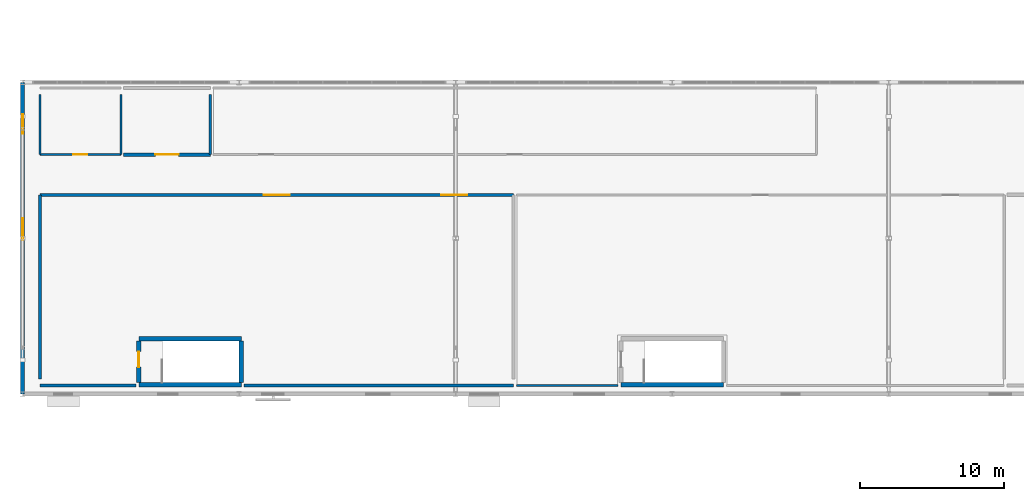
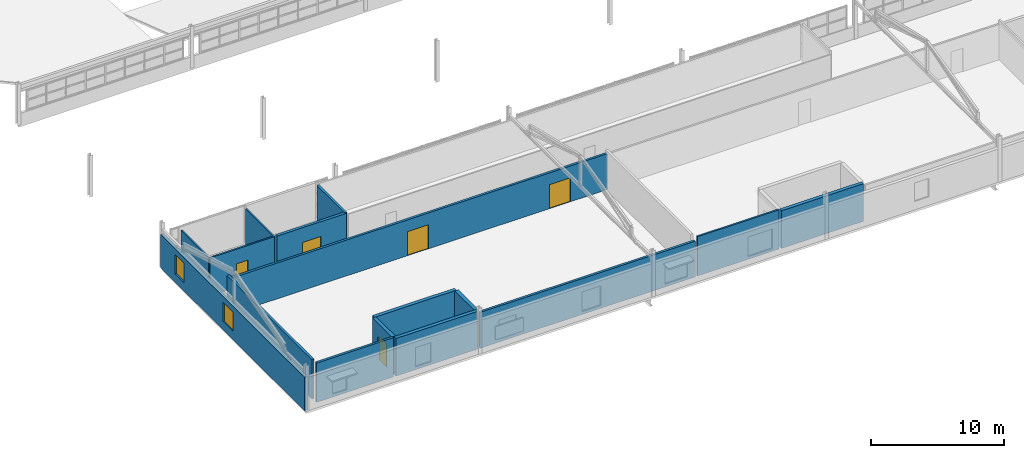
# One storey, part 68 of 90: 16 walls, 5 doors, 2 windows, 7 openings.
"""IFC4 building model written with IfcOpenShell, lengths in metres."""

from ifc_helpers import new_model, si_unit, direction, frame, frame_2d, origin, place, context, subcontext, project, spatial, rectangle, extrude, material, layer, layer_set, type_object, element, fill, save


model = new_model("IFC4")

# Units and contexts
model_context = context("Model", 3, precision=1e-05, world=origin(), true_north=direction((0.0, 1.0)))
body_context = subcontext(model_context, "Body", "Model", "MODEL_VIEW")
ifc_project = project(units=[si_unit("LENGTHUNIT", "METRE"), si_unit("AREAUNIT", "SQUARE_METRE"), si_unit("VOLUMEUNIT", "CUBIC_METRE"), si_unit("PLANEANGLEUNIT", "RADIAN"), si_unit("MASSUNIT", "GRAM", prefix="KILO")], contexts=[model_context])

# Site, building, storey
site_placement = place(None, origin())
site = spatial("IfcSite", under=ifc_project, at=site_placement, CompositionType="ELEMENT")
building_placement = place(site_placement, origin())
building = spatial("IfcBuilding", under=site, at=building_placement, Name="Solanera Park Tramway Depot", CompositionType="ELEMENT")
storey_placement = place(building_placement, frame((0.0, 0.0, 9.0)))
storey = spatial("IfcBuildingStorey", under=building, at=storey_placement, Name="L02", CompositionType="ELEMENT", Elevation=9.0)

# Walls
ifc_material_1 = material(Name="Concrete N32 (C32/40)", Category="concrete")
ifc_layer_1 = layer(ifc_material_1, 0.14990234375)
ifc_layer_set_1 = layer_set([ifc_layer_1], Name="Concrete N32 (C32/40)")
wall_type_1 = type_object("IfcWallType", Name="Acoustic Partition 150", PredefinedType="PARTITIONING", material=ifc_layer_set_1)
wall_1_placement = place(storey_placement, frame((41.25, 11.39990234375, 0.0), z_axis=(0.0, 0.0, 1.0), x_axis=(-1.0, 0.0, 0.0)))
element("IfcWall", 1, at=wall_1_placement, inside=storey, type_object=wall_type_1, Name="Overhead Catenary Rigging Training Studio Dividing Wall", PredefinedType="PARTITIONING", context=body_context, shape_type="SweptSolid", body=[
    extrude(rectangle(XDim=7.050048828125, YDim=0.14990234375, at=frame_2d((3.52490234375, 0.0))), origin(), (0.0, 0.0, 1.0), 3.60009765625),
])
ifc_material_2 = material(Name="Concrete N40 (C40/50)", Category="concrete")
ifc_layer_2 = layer(ifc_material_2, 0.300048828125)
ifc_layer_set_2 = layer_set([ifc_layer_2], Name="Concrete N40 (C40/50)")
wall_type_2 = type_object("IfcWallType", Name="Core Shear Wall 300", PredefinedType="SHEAR", material=ifc_layer_set_2)
for number, where, z_axis, x_axis, name in (
    (2, (8.050048828125, 11.449951171875, 0.0), (0.0, 0.0, 1.0), (1.0, 0.0, 0.0), "ST-08 L02 Shear Core Wall S"),
    (3, (15.14990234375, 14.64990234375, 0.0), (0.0, 0.0, 1.0), (-1.0, 0.0, 0.0), "ST-08 L02 Shear Core Wall N"),
):
    element("IfcWall", number, at=place(storey_placement, frame(where, z_axis=z_axis, x_axis=x_axis)), inside=storey, type_object=wall_type_2, Name=name, PredefinedType="SHEAR", context=body_context, shape_type="SweptSolid", body=[
        extrude(rectangle(XDim=7.099853515625, YDim=0.300048828125, at=frame_2d((3.5498046875, 0.0))), origin(), (0.0, 0.0, 1.0), 3.449951171875),
    ])
wall_2_placement = place(storey_placement, frame((15.14990234375, 11.60009765625, 0.0), z_axis=(0.0, 0.0, 1.0), x_axis=(0.0, 1.0, 0.0)))
element("IfcWall", 4, at=wall_2_placement, inside=storey, type_object=wall_type_2, Name="ST-08 L02 Shear Core Wall E", PredefinedType="SHEAR", context=body_context, shape_type="SweptSolid", body=[
    extrude(rectangle(XDim=2.89990234375, YDim=0.300048828125, at=frame_2d((1.449951171875, 0.0))), origin(), (0.0, 0.0, 1.0), 3.449951171875),
])

# Wall, opening, door
wall_3_placement = place(storey_placement, frame((8.050048828125, 14.5, 0.0), z_axis=(0.0, 0.0, 1.0), x_axis=(0.0, -1.0, 0.0)))
wall_3 = element("IfcWall", 5, at=wall_3_placement, inside=storey, type_object=wall_type_2, Name="ST-08 L02 Shear Core Wall W", PredefinedType="SHEAR", context=body_context, shape_type="SweptSolid", body=[
    extrude(rectangle(XDim=2.89990234375, YDim=0.300048828125, at=frame_2d((1.449951171875, 0.0))), origin(), (0.0, 0.0, 1.0), 3.449951171875),
])
opening_1_placement = place(wall_3_placement, frame((0.75, 0.0, 0.0)))
opening_1 = element("IfcOpeningElement", 6, at=opening_1_placement, cuts=wall_3, Name="Opening FD-S1R", PredefinedType="OPENING", context=body_context, shape_type="SweptSolid", body=[
    extrude(rectangle(XDim=1.070068359375, YDim=2.14990234375, at=frame_2d((0.53515625, 1.074951171875))), frame((0.0, 0.16015625, 0.0), z_axis=(0.0, -1.0, 0.0), x_axis=(1.0, 0.0, 0.0)), (0.0, 0.0, 1.0), 0.320068359375),
])
ifc_material_3 = material(Name="Fire-rated steel or solid-core hardwood door leaf", Category="steel")
door_type_1 = type_object("IfcDoorType", Name="Stair Fire Door R 1070x2150", OperationType="SINGLE_SWING_RIGHT", PredefinedType="DOOR", material=ifc_material_3)
door_1_placement = place(opening_1_placement, origin())
door_1 = element("IfcDoor", 7, at=door_1_placement, inside=storey, type_object=door_type_1, Name="ST-08 L02 Stair Fire Door", OperationType="SINGLE_SWING_RIGHT", OverallHeight=2.14990234375, OverallWidth=1.070068359375, PredefinedType="DOOR", context=body_context, shape_type="SweptSolid", body=[
    extrude(rectangle(XDim=1.070068359375, YDim=2.14990234375, at=frame_2d((0.53515625, 1.074951171875))), frame((0.0, 0.02490234375, 0.0), z_axis=(0.0, -1.0, 0.0), x_axis=(1.0, 0.0, 0.0)), (0.0, 0.0, 1.0), 0.050048828125),
])
fill(opening_1, door_1)

# Wall
wall_4_placement = place(storey_placement, frame((41.449951171875, 11.449951171875, 0.0), z_axis=(0.0, 0.0, 1.0), x_axis=(1.0, 0.0, 0.0)))
element("IfcWall", 8, at=wall_4_placement, inside=storey, type_object=wall_type_2, Name="ST-12 L02 Shear Core Wall S", PredefinedType="SHEAR", context=body_context, shape_type="SweptSolid", body=[
    extrude(rectangle(XDim=7.10009765625, YDim=0.300048828125, at=frame_2d((3.550048828125, 0.0))), origin(), (0.0, 0.0, 1.0), 3.449951171875),
])

# Wall, openings, windows
ifc_material_4 = material(Name="Concrete N32 (C32/40)", Category="concrete")
ifc_layer_3 = layer(ifc_material_4, 0.280029296875)
ifc_layer_set_3 = layer_set([ifc_layer_3], Name="Concrete N32 (C32/40)")
wall_type_3 = type_object("IfcWallType", Name="Ext Stucco Wall 280", PredefinedType="SOLIDWALL", material=ifc_layer_set_3)
wall_5_placement = place(storey_placement, frame((0.0, 32.39990234375, 0.0), z_axis=(0.0, 0.0, 1.0), x_axis=(0.0, -1.0, 0.0)))
wall_5 = element("IfcWall", 9, at=wall_5_placement, inside=storey, type_object=wall_type_3, Name="L02 Exterior Wall #009", PredefinedType="SOLIDWALL", context=body_context, shape_type="SweptSolid", body=[
    extrude(rectangle(XDim=21.599853515625, YDim=0.280029296875, at=frame_2d((10.7998046875, 0.0))), origin(), (0.0, 0.0, 1.0), 3.05810546875),
])
opening_2_placement = place(wall_5_placement, frame((2.199951171875, 0.0, 0.780029296875)))
opening_2 = element("IfcOpeningElement", 10, at=opening_2_placement, cuts=wall_5, Name="Opening WN-C13", PredefinedType="OPENING", context=body_context, shape_type="SweptSolid", body=[
    extrude(rectangle(XDim=1.35009765625, YDim=1.75, at=frame_2d((0.675048828125, 0.875))), frame((0.0, 0.14990234375, 0.0), z_axis=(0.0, -1.0, 0.0), x_axis=(1.0, 0.0, 0.0)), (0.0, 0.0, 1.0), 0.300048828125),
])
opening_3_placement = place(wall_5_placement, frame((9.39990234375, 0.0, 0.780029296875)))
opening_3 = element("IfcOpeningElement", 11, at=opening_3_placement, cuts=wall_5, Name="Opening WN-C15", PredefinedType="OPENING", context=body_context, shape_type="SweptSolid", body=[
    extrude(rectangle(XDim=1.5, YDim=1.75, at=frame_2d((0.75, 0.875))), frame((0.0, 0.14990234375, 0.0), z_axis=(0.0, -1.0, 0.0), x_axis=(1.0, 0.0, 0.0)), (0.0, 0.0, 1.0), 0.300048828125),
])
ifc_material_5 = material(Name="Powder-coated aluminium frame with solar-control double glazing", Category="aluminium")
window_type_1 = type_object("IfcWindowType", Name="Cloister Casement Window 1350x1750", PartitioningType="SINGLE_PANEL", PredefinedType="WINDOW", material=ifc_material_5)
window_1_placement = place(opening_2_placement, origin())
window_1 = element("IfcWindow", 12, at=window_1_placement, inside=storey, type_object=window_type_1, Name="L02 Cloister Casement Window 1350x1750 #0060", OverallHeight=1.75, OverallWidth=1.35009765625, PartitioningType="SINGLE_PANEL", PredefinedType="WINDOW", context=body_context, shape_type="SweptSolid", body=[
    extrude(rectangle(XDim=1.35009765625, YDim=1.75, at=frame_2d((0.675048828125, 0.875))), frame((0.0, 0.030029296875, 0.0), z_axis=(0.0, -1.0, 0.0), x_axis=(1.0, 0.0, 0.0)), (0.0, 0.0, 1.0), 0.06005859375),
])
fill(opening_2, window_1)
ifc_material_6 = material(Name="Powder-coated aluminium frame with solar-control double glazing", Category="aluminium")
window_type_2 = type_object("IfcWindowType", Name="Cloister Casement Window 1500x1750", PartitioningType="SINGLE_PANEL", PredefinedType="WINDOW", material=ifc_material_6)
window_2_placement = place(opening_3_placement, origin())
window_2 = element("IfcWindow", 13, at=window_2_placement, inside=storey, type_object=window_type_2, Name="L02 Cloister Casement Window 1500x1750 #0061", OverallHeight=1.75, OverallWidth=1.5, PartitioningType="SINGLE_PANEL", PredefinedType="WINDOW", context=body_context, shape_type="SweptSolid", body=[
    extrude(rectangle(XDim=1.5, YDim=1.75, at=frame_2d((0.75, 0.875))), frame((0.0, 0.030029296875, 0.0), z_axis=(0.0, -1.0, 0.0), x_axis=(1.0, 0.0, 0.0)), (0.0, 0.0, 1.0), 0.06005859375),
])
fill(opening_3, window_2)

# Walls
ifc_material_7 = material(Name="Concrete N32 (C32/40)", Category="concrete")
ifc_layer_4 = layer(ifc_material_7, 0.199951171875)
ifc_layer_set_4 = layer_set([ifc_layer_4], Name="Concrete N32 (C32/40)")
wall_type_4 = type_object("IfcWallType", Name="Fire Compartment Wall 200", PredefinedType="SOLIDWALL", material=ifc_layer_set_4)
wall_6_placement = place(storey_placement, frame((34.0, 11.39990234375, 0.0), z_axis=(0.0, 0.0, 1.0), x_axis=(-1.0, 0.0, 0.0)))
element("IfcWall", 14, at=wall_6_placement, inside=storey, type_object=wall_type_4, Name="Workshop Cyclone Fresh-Air AHU Plant 1 Dividing Wall", PredefinedType="SOLIDWALL", context=body_context, shape_type="SweptSolid", body=[
    extrude(rectangle(XDim=18.64990234375, YDim=0.199951171875, at=frame_2d((9.324951171875, 0.0))), origin(), (0.0, 0.0, 1.0), 3.287109375),
])
wall_7_placement = place(storey_placement, frame((7.85009765625, 11.39990234375, 0.0), z_axis=(0.0, 0.0, 1.0), x_axis=(-1.0, 0.0, 0.0)))
element("IfcWall", 15, at=wall_7_placement, inside=storey, type_object=wall_type_4, Name="Workshop Cyclone Fresh-Air AHU Plant 1 Dividing Wall", PredefinedType="SOLIDWALL", context=body_context, shape_type="SweptSolid", body=[
    extrude(rectangle(XDim=6.650146484375, YDim=0.199951171875, at=frame_2d((3.3251953125, 0.0))), origin(), (0.0, 0.0, 1.0), 3.60009765625),
])
wall_8_placement = place(storey_placement, frame((1.199951171875, 24.60009765625, 0.0), z_axis=(0.0, 0.0, 1.0), x_axis=(0.0, -1.0, 0.0)))
element("IfcWall", 16, at=wall_8_placement, inside=storey, type_object=wall_type_4, Name="Workshop Cyclone Fresh-Air AHU Plant 1 Dividing Wall", PredefinedType="SOLIDWALL", context=body_context, shape_type="SweptSolid", body=[
    extrude(rectangle(XDim=12.75, YDim=0.199951171875, at=frame_2d((6.375, 0.0))), origin(), (0.0, 0.0, 1.0), 3.60009765625),
])

# Wall, openings, doors
wall_9_placement = place(storey_placement, frame((1.199951171875, 24.60009765625, 0.0), z_axis=(0.0, 0.0, 1.0), x_axis=(1.0, 0.0, 0.0)))
wall_9 = element("IfcWall", 17, at=wall_9_placement, inside=storey, type_object=wall_type_4, Name="Workshop Cyclone Fresh-Air AHU Plant 1 Corridor Wall", PredefinedType="SOLIDWALL", context=body_context, shape_type="SweptSolid", body=[
    extrude(rectangle(XDim=32.800048828125, YDim=0.199951171875, at=frame_2d((16.39990234375, 0.0))), origin(), (0.0, 0.0, 1.0), 3.287109375),
])
opening_4_placement = place(wall_9_placement, frame((15.5, 0.0, 0.0)))
opening_4 = element("IfcOpeningElement", 18, at=opening_4_placement, cuts=wall_9, Name="Opening FD-P2D", PredefinedType="OPENING", context=body_context, shape_type="SweptSolid", body=[
    extrude(rectangle(XDim=1.800048828125, YDim=2.199951171875, at=frame_2d((0.89990234375, 1.10009765625))), frame((0.0, 0.10986328125, 0.0), z_axis=(0.0, -1.0, 0.0), x_axis=(1.0, 0.0, 0.0)), (0.0, 0.0, 1.0), 0.219970703125),
])
opening_5_placement = place(wall_9_placement, frame((27.800048828125, 0.0, 0.0)))
opening_5 = element("IfcOpeningElement", 19, at=opening_5_placement, cuts=wall_9, Name="Opening FD-P2D", PredefinedType="OPENING", context=body_context, shape_type="SweptSolid", body=[
    extrude(rectangle(XDim=1.800048828125, YDim=2.199951171875, at=frame_2d((0.89990234375, 1.10009765625))), frame((0.0, 0.10986328125, 0.0), z_axis=(0.0, -1.0, 0.0), x_axis=(1.0, 0.0, 0.0)), (0.0, 0.0, 1.0), 0.219970703125),
])
ifc_material_8 = material(Name="Fire-rated steel or solid-core hardwood door leaf", Category="steel")
door_type_2 = type_object("IfcDoorType", Name="Plant Double Fire Door 1800x2200", OperationType="DOUBLE_SWING_LEFT", PredefinedType="DOOR", material=ifc_material_8)
door_2_placement = place(opening_4_placement, origin())
door_2 = element("IfcDoor", 20, at=door_2_placement, inside=storey, type_object=door_type_2, Name="Workshop Cyclone Fresh-Air AHU Plant 1 Door", OperationType="DOUBLE_SWING_LEFT", OverallHeight=2.199951171875, OverallWidth=1.800048828125, PredefinedType="DOOR", context=body_context, shape_type="SweptSolid", body=[
    extrude(rectangle(XDim=1.800048828125, YDim=2.199951171875, at=frame_2d((0.89990234375, 1.10009765625))), frame((0.0, 0.02490234375, 0.0), z_axis=(0.0, -1.0, 0.0), x_axis=(1.0, 0.0, 0.0)), (0.0, 0.0, 1.0), 0.050048828125),
])
fill(opening_4, door_2)
door_3_placement = place(opening_5_placement, origin())
door_3 = element("IfcDoor", 21, at=door_3_placement, inside=storey, type_object=door_type_2, Name="Workshop Cyclone Fresh-Air AHU Plant 1 Secondary Exit Door", OperationType="DOUBLE_SWING_LEFT", OverallHeight=2.199951171875, OverallWidth=1.800048828125, PredefinedType="DOOR", context=body_context, shape_type="SweptSolid", body=[
    extrude(rectangle(XDim=1.800048828125, YDim=2.199951171875, at=frame_2d((0.89990234375, 1.10009765625))), frame((0.0, 0.02490234375, 0.0), z_axis=(0.0, -1.0, 0.0), x_axis=(1.0, 0.0, 0.0)), (0.0, 0.0, 1.0), 0.050048828125),
])
fill(opening_5, door_3)

# Wall
wall_10_placement = place(storey_placement, frame((13.0, 27.39990234375, 0.0), z_axis=(0.0, 0.0, 1.0), x_axis=(0.0, 1.0, 0.0)))
element("IfcWall", 22, at=wall_10_placement, inside=storey, type_object=wall_type_4, Name="L02 Workshop Housekeeping Store Dividing Wall", PredefinedType="SOLIDWALL", context=body_context, shape_type="SweptSolid", body=[
    extrude(rectangle(XDim=4.150146484375, YDim=0.199951171875, at=frame_2d((2.0751953125, 0.0))), origin(), (0.0, 0.0, 1.0), 3.5),
])

# Wall, opening, door
ifc_material_9 = material(Name="Concrete N32 (C32/40)", Category="concrete")
ifc_layer_5 = layer(ifc_material_9, 0.239990234375)
ifc_layer_set_5 = layer_set([ifc_layer_5], Name="Concrete N32 (C32/40)")
wall_type_5 = type_object("IfcWallType", Name="Inter-Class Fire Wall 240", PredefinedType="SOLIDWALL", material=ifc_layer_set_5)
wall_11_placement = place(storey_placement, frame((13.0, 27.39990234375, 0.0), z_axis=(0.0, 0.0, 1.0), x_axis=(-1.0, 0.0, 0.0)))
wall_11 = element("IfcWall", 23, at=wall_11_placement, inside=storey, type_object=wall_type_5, Name="L02 Workshop Housekeeping Store Corridor Wall", PredefinedType="SOLIDWALL", context=body_context, shape_type="SweptSolid", body=[
    extrude(rectangle(XDim=6.0, YDim=0.239990234375, at=frame_2d((3.0, 0.0))), origin(), (0.0, 0.0, 1.0), 3.5),
])
opening_6_placement = place(wall_11_placement, frame((2.199951171875, 0.0, 0.0)))
opening_6 = element("IfcOpeningElement", 24, at=opening_6_placement, cuts=wall_11, Name="Opening FD-K2D", PredefinedType="OPENING", context=body_context, shape_type="SweptSolid", body=[
    extrude(rectangle(XDim=1.60009765625, YDim=2.14990234375, at=frame_2d((0.800048828125, 1.074951171875))), frame((0.0, 0.1298828125, 0.0), z_axis=(0.0, -1.0, 0.0), x_axis=(1.0, 0.0, 0.0)), (0.0, 0.0, 1.0), 0.260009765625),
])
ifc_material_10 = material(Name="Fire-rated steel or solid-core hardwood door leaf", Category="steel")
door_type_3 = type_object("IfcDoorType", Name="Store Double Fire Door 1600x2150", OperationType="DOUBLE_SWING_RIGHT", PredefinedType="DOOR", material=ifc_material_10)
door_4_placement = place(opening_6_placement, origin())
door_4 = element("IfcDoor", 25, at=door_4_placement, inside=storey, type_object=door_type_3, Name="L02 Workshop Housekeeping Store Door", OperationType="DOUBLE_SWING_RIGHT", OverallHeight=2.14990234375, OverallWidth=1.60009765625, PredefinedType="DOOR", context=body_context, shape_type="SweptSolid", body=[
    extrude(rectangle(XDim=1.60009765625, YDim=2.14990234375, at=frame_2d((0.800048828125, 1.074951171875))), frame((0.0, 0.02490234375, 0.0), z_axis=(0.0, -1.0, 0.0), x_axis=(1.0, 0.0, 0.0)), (0.0, 0.0, 1.0), 0.050048828125),
])
fill(opening_6, door_4)

# Walls
ifc_material_11 = material(Name="Concrete N32 (C32/40)", Category="concrete")
ifc_layer_6 = layer(ifc_material_11, 0.139892578125)
ifc_layer_set_6 = layer_set([ifc_layer_6], Name="Concrete N32 (C32/40)")
wall_type_6 = type_object("IfcWallType", Name="Wet Area Partition 140", PredefinedType="PARTITIONING", material=ifc_layer_set_6)
for number, where, z_axis, x_axis, name in (
    (26, (6.800048828125, 27.39990234375, 0.0), (0.0, 0.0, 1.0), (0.0, 1.0, 0.0), "L02 Workshop Gallery Accessible WC Dividing Wall"),
    (27, (1.199951171875, 31.550048828125, 0.0), (0.0, 0.0, 1.0), (0.0, -1.0, 0.0), "L02 Workshop Gallery Accessible WC Dividing Wall"),
):
    element("IfcWall", number, at=place(storey_placement, frame(where, z_axis=z_axis, x_axis=x_axis)), inside=storey, type_object=wall_type_6, Name=name, PredefinedType="PARTITIONING", context=body_context, shape_type="SweptSolid", body=[
        extrude(rectangle(XDim=4.150146484375, YDim=0.139892578125, at=frame_2d((2.0751953125, 0.0))), origin(), (0.0, 0.0, 1.0), 3.5),
    ])

# Wall, opening, door
wall_12_placement = place(storey_placement, frame((6.800048828125, 27.39990234375, 0.0), z_axis=(0.0, 0.0, 1.0), x_axis=(-1.0, 0.0, 0.0)))
wall_12 = element("IfcWall", 28, at=wall_12_placement, inside=storey, type_object=wall_type_6, Name="L02 Workshop Gallery Accessible WC Corridor Wall", PredefinedType="PARTITIONING", context=body_context, shape_type="SweptSolid", body=[
    extrude(rectangle(XDim=5.60009765625, YDim=0.139892578125, at=frame_2d((2.800048828125, 0.0))), origin(), (0.0, 0.0, 1.0), 3.5),
])
opening_7_placement = place(wall_12_placement, frame((2.304931640625, 0.0, 0.0)))
opening_7 = element("IfcOpeningElement", 29, at=opening_7_placement, cuts=wall_12, Name="Opening ID-W1R", PredefinedType="OPENING", context=body_context, shape_type="SweptSolid", body=[
    extrude(rectangle(XDim=0.989990234375, YDim=2.14990234375, at=frame_2d((0.4951171875, 1.074951171875))), frame((0.0, 0.080078125, 0.0), z_axis=(0.0, -1.0, 0.0), x_axis=(1.0, 0.0, 0.0)), (0.0, 0.0, 1.0), 0.159912109375),
])
ifc_material_12 = material(Name="Fire-rated steel or solid-core hardwood door leaf", Category="steel")
door_type_4 = type_object("IfcDoorType", Name="Accessible WC Door R 990x2150", OperationType="SINGLE_SWING_RIGHT", PredefinedType="DOOR", material=ifc_material_12)
door_5_placement = place(opening_7_placement, origin())
door_5 = element("IfcDoor", 30, at=door_5_placement, inside=storey, type_object=door_type_4, Name="L02 Workshop Gallery Accessible WC Door", OperationType="SINGLE_SWING_RIGHT", OverallHeight=2.14990234375, OverallWidth=0.989990234375, PredefinedType="DOOR", context=body_context, shape_type="SweptSolid", body=[
    extrude(rectangle(XDim=0.989990234375, YDim=2.14990234375, at=frame_2d((0.4951171875, 1.074951171875))), frame((0.0, 0.02490234375, 0.0), z_axis=(0.0, -1.0, 0.0), x_axis=(1.0, 0.0, 0.0)), (0.0, 0.0, 1.0), 0.050048828125),
])
fill(opening_7, door_5)

save(model, "model.ifc")
